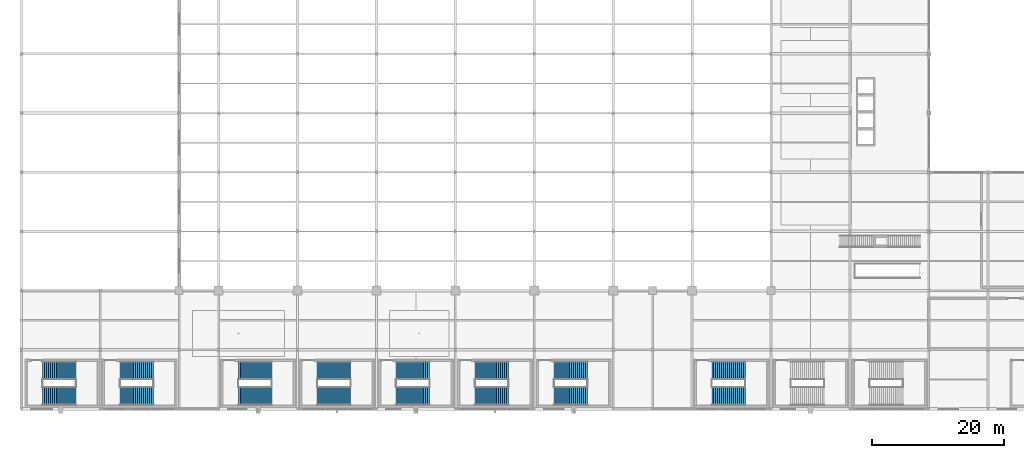
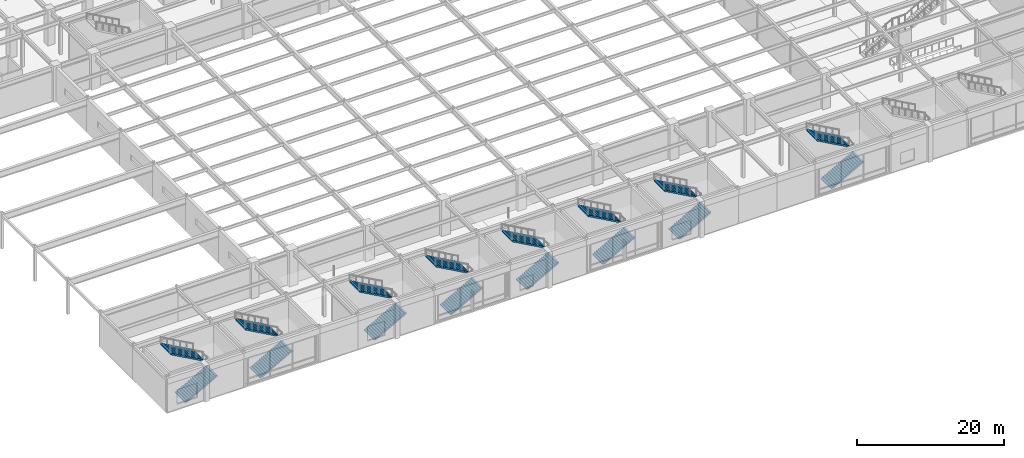
# One storey, part 92 of 105: 16 stair flights, 8 elements without a shape of their own.
"""IFC4 building model written with IfcOpenShell, lengths in metres."""

import ifcopenshell
import ifcopenshell.guid

model = None  # the IFC model being written
_history = None  # IfcOwnerHistory: only IFC2X3 demands one
_inside = {}  # id of a spatial element -> (the spatial element, [elements in it])
_under = {}  # id of a project, library or spatial element -> (it, [spatial elements below it])
_declared = {}  # id of a project -> (the project, [libraries it declares])
_typed = {}  # id of a type object -> (the type object, [elements of that type])
_made_of = {}  # id of a material, layer set ... -> (it, [elements and type objects made of it])


def new_model(schema):
    """Start an empty IFC model of exactly this schema.

    Asked for "IFC4X3", IfcOpenShell would pick the latest addendum, in which some entities
    have other attributes; the version numbers below select the first issue.
    IFC2X3 requires an IfcOwnerHistory on every rooted entity: one is made here for all.
    """
    global model, _history
    if schema == "IFC4X3":
        model = ifcopenshell.file(schema_version=(4, 3, 0, 0))
    else:
        model = ifcopenshell.file(schema=schema)
    _inside.clear()
    _under.clear()
    _declared.clear()
    _typed.clear()
    _made_of.clear()
    _history = None
    if model.schema == "IFC2X3":
        org = make("IfcOrganization", Name="unknown")
        user = make(
            "IfcPersonAndOrganization",
            ThePerson=make("IfcPerson", FamilyName="unknown"),
            TheOrganization=org,
        )
        app = make(
            "IfcApplication",
            ApplicationDeveloper=org,
            Version="unknown",
            ApplicationFullName="unknown",
            ApplicationIdentifier="unknown",
        )
        _history = make(
            "IfcOwnerHistory",
            OwningUser=user,
            OwningApplication=app,
            ChangeAction="ADDED",
            CreationDate=0,
        )
    return model


def make(cls, **values):
    """One entity of the class cls with the attributes given. An attribute that is None is left unset."""
    return model.create_entity(
        cls, **{name: value for name, value in values.items() if value is not None}
    )


def rooted(cls, **values):
    """An entity with a GlobalId (a new one), such as an element, a storey or a relation."""
    return make(cls, GlobalId=ifcopenshell.guid.new(), OwnerHistory=_history, **values)


def si_unit(unit_type, name, prefix=None):
    """IfcSIUnit, for example si_unit("LENGTHUNIT", "METRE", prefix="MILLI")."""
    return make("IfcSIUnit", UnitType=unit_type, Prefix=prefix, Name=name)


def assignment(units):
    """IfcUnitAssignment: the units of a project."""
    return None if units is None else make("IfcUnitAssignment", Units=units)


def point(xyz):
    """IfcCartesianPoint."""
    return None if xyz is None else make("IfcCartesianPoint", Coordinates=xyz)


def direction(xyz):
    """IfcDirection."""
    return None if xyz is None else make("IfcDirection", DirectionRatios=xyz)


def frame(location, z_axis=None, x_axis=None):
    """IfcAxis2Placement3D, a coordinate frame: its origin and axes. An axis left out is left unset."""
    return make(
        "IfcAxis2Placement3D",
        Location=point(location),
        Axis=direction(z_axis),
        RefDirection=direction(x_axis),
    )


def origin():
    """The frame at (0, 0, 0) with its axes left unset."""
    return frame((0.0, 0.0, 0.0))


def place(relative_to, where):
    """IfcLocalPlacement: puts the frame where relative to a parent placement (None: the world)."""
    return make(
        "IfcLocalPlacement", PlacementRelTo=relative_to, RelativePlacement=where
    )


def context(
    kind, dimensions, precision=None, world=None, true_north=None, identifier=None
):
    """IfcGeometricRepresentationContext, for example the 3D "Model" context."""
    return make(
        "IfcGeometricRepresentationContext",
        ContextIdentifier=identifier,
        ContextType=kind,
        CoordinateSpaceDimension=dimensions,
        Precision=precision,
        WorldCoordinateSystem=world,
        TrueNorth=true_north,
    )


def subcontext(parent, identifier, kind, view, scale=None):
    """IfcGeometricRepresentationSubContext, for example "Body" below "Model"."""
    return make(
        "IfcGeometricRepresentationSubContext",
        ContextIdentifier=identifier,
        ContextType=kind,
        ParentContext=parent,
        TargetScale=scale,
        TargetView=view,
    )


def project(units=None, contexts=None):
    """IfcProject with its units and contexts."""
    return rooted(
        "IfcProject",
        Name="project",
        RepresentationContexts=contexts,
        UnitsInContext=assignment(units),
    )


def spatial(cls, under=None, at=None, **own):
    """A site, building, storey or space (cls), placed at a placement, below another one or the project."""
    s = rooted(cls, ObjectPlacement=at, **own)
    if under is not None:
        _under.setdefault(under.id(), (under, []))[1].append(s)
    return s


def polyline(points):
    """IfcPolyline through the points."""
    return make("IfcPolyline", Points=[point(p) for p in points])


def outline(outer, holes=None, kind="AREA"):
    """IfcArbitraryClosedProfileDef: a profile drawn as a closed curve; with holes, ...WithVoids."""
    if holes is None:
        return make("IfcArbitraryClosedProfileDef", ProfileType=kind, OuterCurve=outer)
    return make(
        "IfcArbitraryProfileDefWithVoids",
        ProfileType=kind,
        OuterCurve=outer,
        InnerCurves=holes,
    )


def extrude(swept, where, along, depth):
    """IfcExtrudedAreaSolid: the profile swept, set in the frame where, extruded along a direction by depth."""
    return make(
        "IfcExtrudedAreaSolid",
        SweptArea=swept,
        Position=where,
        ExtrudedDirection=direction(along),
        Depth=depth,
    )


def shape(context_of_items, identifier, shape_type, items):
    """IfcShapeRepresentation: the items that make up one representation, for example the "Body"."""
    return make(
        "IfcShapeRepresentation",
        ContextOfItems=context_of_items,
        RepresentationIdentifier=identifier,
        RepresentationType=shape_type,
        Items=items,
    )


def material(Name=None, Category=None):
    """IfcMaterial."""
    return make("IfcMaterial", Name=Name, Category=Category)


def made_of(thing, what):
    """Note that an element or type object is made of a material, layer set ...; save() writes the relation."""
    if what is not None:
        _made_of.setdefault(what.id(), (what, []))[1].append(thing)
    return thing


def type_object(cls, material=None, **own):
    """A type object (cls), such as IfcWallType, which elements share."""
    return made_of(rooted(cls, **own), material)


def element(
    cls,
    number,
    at=None,
    inside=None,
    cuts=None,
    type_object=None,
    material=None,
    context=None,
    identifier="Body",
    shape_type=None,
    held_by="IfcProductDefinitionShape",
    body=None,
    shapes=None,
    **own,
):
    """One element of the class cls, such as IfcWall. Its Tag is "e" and its number.

    at: its placement. inside: the storey or other place that contains it. cuts: it is an
    opening in that element (IfcRelVoidsElement). A single representation is given by context,
    identifier, shape_type and body (its items); several are given by shapes. held_by: the class
    of the entity that holds the representations. save() writes the other relations.
    """
    e = rooted(cls, Tag="e%d" % number, ObjectPlacement=at, **own)
    if body is not None:
        shapes = [shape(context, identifier, shape_type, body)]
    if shapes is not None:
        e.Representation = make(held_by, Representations=shapes)
    if inside is not None:
        _inside.setdefault(inside.id(), (inside, []))[1].append(e)
    if cuts is not None:
        rooted(
            "IfcRelVoidsElement", RelatingBuildingElement=cuts, RelatedOpeningElement=e
        )
    if type_object is not None:
        _typed.setdefault(type_object.id(), (type_object, []))[1].append(e)
    return made_of(e, material)


def aggregate(whole, parts):
    """IfcRelAggregates: a whole, such as a stair, and the parts it consists of."""
    return rooted("IfcRelAggregates", RelatingObject=whole, RelatedObjects=parts)


def save(model, path):
    """Write the relations noted so far, then the file.

    IfcRelAggregates (storeys below a building ...), IfcRelContainedInSpatialStructure (elements
    in a storey), IfcRelDefinesByType, IfcRelAssociatesMaterial and IfcRelDeclares: one each for
    every whole, place, type object, material and project.
    """
    for whole, parts in _under.values():
        aggregate(whole, parts)
    for where, things in _inside.values():
        rooted(
            "IfcRelContainedInSpatialStructure",
            RelatedElements=things,
            RelatingStructure=where,
        )
    for kind, things in _typed.values():
        rooted("IfcRelDefinesByType", RelatedObjects=things, RelatingType=kind)
    for what, things in _made_of.values():
        rooted("IfcRelAssociatesMaterial", RelatedObjects=things, RelatingMaterial=what)
    for by, libraries in _declared.values():
        rooted("IfcRelDeclares", RelatingContext=by, RelatedDefinitions=libraries)
    model.write(path)


model = new_model("IFC4")

# Units and contexts
model_context = context("Model", 3, precision=1e-05, world=origin(), true_north=direction((0.0, 1.0)))
body_context = subcontext(model_context, "Body", "Model", "MODEL_VIEW")
ifc_project = project(units=[si_unit("LENGTHUNIT", "METRE"), si_unit("AREAUNIT", "SQUARE_METRE"), si_unit("VOLUMEUNIT", "CUBIC_METRE"), si_unit("PLANEANGLEUNIT", "RADIAN"), si_unit("MASSUNIT", "GRAM", prefix="KILO")], contexts=[model_context])

# Site, building, storey
site_placement = place(None, origin())
site = spatial("IfcSite", under=ifc_project, at=site_placement, CompositionType="ELEMENT")
building_placement = place(site_placement, origin())
building = spatial("IfcBuilding", under=site, at=building_placement, Name="Kaldorvane Square Convention Centre", CompositionType="ELEMENT")
storey_placement = place(building_placement, frame((0.0, 0.0, 6.0)))
storey = spatial("IfcBuildingStorey", under=building, at=storey_placement, Name="L01", CompositionType="ELEMENT", Elevation=6.0)

# Stair, stair flights
ifc_material = material(Name="Concrete f'c = 42 MPa (Normalweight)", Category="concrete")
stair_type = type_object("IfcStairType", Name="ST-DL-2800-6000-D6710", PredefinedType="HALF_TURN_STAIR", material=ifc_material)
stair_1_placement = place(storey_placement, origin())
stair_1 = element("IfcStair", 1, at=stair_1_placement, inside=storey, type_object=stair_type, Name="Convention Exit Stair C1 (L01)", PredefinedType="HALF_TURN_STAIR")
stair_flight_type = type_object("IfcStairFlightType", Name="SF-STR-2800-18R", PredefinedType="STRAIGHT", material=ifc_material)
stair_flight_1_placement = place(storey_placement, frame((3.2100067138671875, 1.9499969482421875, 0.0), z_axis=(0.0, 0.0, 1.0), x_axis=(1.0, 0.0, 0.0)))
stair_flight_1 = element("IfcStairFlight", 2, at=stair_flight_1_placement, type_object=stair_flight_type, Name="Convention Exit Stair C1 Flight 1 (L01)", NumberOfRisers=18, NumberOfTreads=17, PredefinedType="STRAIGHT", RiserHeight=0.166666667, TreadLength=0.3, context=body_context, shape_type="SweptSolid", body=[
    extrude(outline(polyline([(0.0, 0.0), (0.0, 0.1666717529296875), (0.3000030517578125, 0.1666717529296875), (0.3000030517578125, 0.3333282470703125), (0.600006103515625, 0.3333282470703125), (0.600006103515625, 0.5), (0.899993896484375, 0.5), (0.899993896484375, 0.6666717529296875), (1.1999969482421875, 0.6666717529296875), (1.1999969482421875, 0.8333282470703125), (1.5, 0.8333282470703125), (1.5, 1.0), (1.8000030517578125, 1.0), (1.8000030517578125, 1.1666717529296875), (2.100006103515625, 1.1666717529296875), (2.100006103515625, 1.3333282470703125), (2.399993896484375, 1.3333282470703125), (2.399993896484375, 1.5), (2.6999969482421875, 1.5), (2.6999969482421875, 1.6666717529296875), (3.0, 1.6666717529296875), (3.0, 1.8333282470703125), (3.3000030517578125, 1.8333282470703125), (3.3000030517578125, 2.0), (3.600006103515625, 2.0), (3.600006103515625, 2.1666717529296875), (3.899993896484375, 2.1666717529296875), (3.899993896484375, 2.3333282470703125), (4.1999969482421875, 2.3333282470703125), (4.1999969482421875, 2.5), (4.5, 2.5), (4.5, 2.6666717529296875), (4.8000030517578125, 2.6666717529296875), (4.8000030517578125, 2.8333282470703125), (5.100006103515625, 2.8333282470703125), (5.100006103515625, 3.0), (5.100006103515625, 2.6045379638671875), (0.4118194580078125, 0.0), (0.0, 0.0)])), frame((0.0, 1.399993896484375, 0.0), z_axis=(0.0, -1.0, 0.0), x_axis=(1.0, 0.0, 0.0)), (0.0, 0.0, 1.0), 2.8000030517578125),
])
stair_flight_2_placement = place(storey_placement, frame((8.30999755859375, 5.8600006103515625, 3.0), z_axis=(0.0, 0.0, 1.0), x_axis=(-1.0, 0.0, 0.0)))
stair_flight_2 = element("IfcStairFlight", 3, at=stair_flight_2_placement, type_object=stair_flight_type, Name="Convention Exit Stair C1 Flight 2 (L01)", NumberOfRisers=18, NumberOfTreads=17, PredefinedType="STRAIGHT", RiserHeight=0.166666667, TreadLength=0.3, context=body_context, shape_type="SweptSolid", body=[
    extrude(outline(polyline([(0.0, 0.0), (0.0, 0.1666717529296875), (0.3000030517578125, 0.1666717529296875), (0.3000030517578125, 0.3333282470703125), (0.600006103515625, 0.3333282470703125), (0.600006103515625, 0.5), (0.899993896484375, 0.5), (0.899993896484375, 0.6666717529296875), (1.1999969482421875, 0.6666717529296875), (1.1999969482421875, 0.8333282470703125), (1.5, 0.8333282470703125), (1.5, 1.0), (1.8000030517578125, 1.0), (1.8000030517578125, 1.1666717529296875), (2.100006103515625, 1.1666717529296875), (2.100006103515625, 1.3333282470703125), (2.399993896484375, 1.3333282470703125), (2.399993896484375, 1.5), (2.6999969482421875, 1.5), (2.6999969482421875, 1.6666717529296875), (3.0, 1.6666717529296875), (3.0, 1.8333282470703125), (3.3000030517578125, 1.8333282470703125), (3.3000030517578125, 2.0), (3.600006103515625, 2.0), (3.600006103515625, 2.1666717529296875), (3.899993896484375, 2.1666717529296875), (3.899993896484375, 2.3333282470703125), (4.1999969482421875, 2.3333282470703125), (4.1999969482421875, 2.5), (4.5, 2.5), (4.5, 2.6666717529296875), (4.8000030517578125, 2.6666717529296875), (4.8000030517578125, 2.8333282470703125), (5.100006103515625, 2.8333282470703125), (5.100006103515625, 3.0), (5.100006103515625, 2.6045379638671875), (0.4118194580078125, 0.0), (0.0, 0.0)])), frame((0.0, 1.399993896484375, 0.0), z_axis=(0.0, -1.0, 0.0), x_axis=(1.0, 0.0, 0.0)), (0.0, 0.0, 1.0), 2.8000030517578125),
])
aggregate(stair_1, [stair_flight_1, stair_flight_2])

stair_2_placement = place(storey_placement, origin())
stair_2 = element("IfcStair", 4, at=stair_2_placement, inside=storey, type_object=stair_type, Name="Convention Exit Stair C2 (L01)", PredefinedType="HALF_TURN_STAIR")
stair_flight_3_placement = place(storey_placement, frame((14.990005493164062, 1.9499969482421875, 0.0), z_axis=(0.0, 0.0, 1.0), x_axis=(1.0, 0.0, 0.0)))
stair_flight_3 = element("IfcStairFlight", 5, at=stair_flight_3_placement, type_object=stair_flight_type, Name="Convention Exit Stair C2 Flight 1 (L01)", NumberOfRisers=18, NumberOfTreads=17, PredefinedType="STRAIGHT", RiserHeight=0.166666667, TreadLength=0.3, context=body_context, shape_type="SweptSolid", body=[
    extrude(outline(polyline([(0.0, 0.0), (0.0, 0.1666717529296875), (0.3000030517578125, 0.1666717529296875), (0.3000030517578125, 0.3333282470703125), (0.600006103515625, 0.3333282470703125), (0.600006103515625, 0.5), (0.899993896484375, 0.5), (0.899993896484375, 0.6666717529296875), (1.1999969482421875, 0.6666717529296875), (1.1999969482421875, 0.8333282470703125), (1.5, 0.8333282470703125), (1.5, 1.0), (1.8000030517578125, 1.0), (1.8000030517578125, 1.1666717529296875), (2.100006103515625, 1.1666717529296875), (2.100006103515625, 1.3333282470703125), (2.399993896484375, 1.3333282470703125), (2.399993896484375, 1.5), (2.6999969482421875, 1.5), (2.6999969482421875, 1.6666717529296875), (3.0, 1.6666717529296875), (3.0, 1.8333282470703125), (3.3000030517578125, 1.8333282470703125), (3.3000030517578125, 2.0), (3.600006103515625, 2.0), (3.600006103515625, 2.1666717529296875), (3.899993896484375, 2.1666717529296875), (3.899993896484375, 2.3333282470703125), (4.1999969482421875, 2.3333282470703125), (4.1999969482421875, 2.5), (4.5, 2.5), (4.5, 2.6666717529296875), (4.8000030517578125, 2.6666717529296875), (4.8000030517578125, 2.8333282470703125), (5.100006103515625, 2.8333282470703125), (5.100006103515625, 3.0), (5.100006103515625, 2.6045379638671875), (0.4118194580078125, 0.0), (0.0, 0.0)])), frame((0.0, 1.399993896484375, 0.0), z_axis=(0.0, -1.0, 0.0), x_axis=(1.0, 0.0, 0.0)), (0.0, 0.0, 1.0), 2.8000030517578125),
])
stair_flight_4_placement = place(storey_placement, frame((20.089996337890625, 5.8600006103515625, 3.0), z_axis=(0.0, 0.0, 1.0), x_axis=(-1.0, 0.0, 0.0)))
stair_flight_4 = element("IfcStairFlight", 6, at=stair_flight_4_placement, type_object=stair_flight_type, Name="Convention Exit Stair C2 Flight 2 (L01)", NumberOfRisers=18, NumberOfTreads=17, PredefinedType="STRAIGHT", RiserHeight=0.166666667, TreadLength=0.3, context=body_context, shape_type="SweptSolid", body=[
    extrude(outline(polyline([(0.0, 0.0), (0.0, 0.1666717529296875), (0.3000030517578125, 0.1666717529296875), (0.3000030517578125, 0.3333282470703125), (0.600006103515625, 0.3333282470703125), (0.600006103515625, 0.5), (0.899993896484375, 0.5), (0.899993896484375, 0.6666717529296875), (1.1999969482421875, 0.6666717529296875), (1.1999969482421875, 0.8333282470703125), (1.5, 0.8333282470703125), (1.5, 1.0), (1.8000030517578125, 1.0), (1.8000030517578125, 1.1666717529296875), (2.100006103515625, 1.1666717529296875), (2.100006103515625, 1.3333282470703125), (2.399993896484375, 1.3333282470703125), (2.399993896484375, 1.5), (2.6999969482421875, 1.5), (2.6999969482421875, 1.6666717529296875), (3.0, 1.6666717529296875), (3.0, 1.8333282470703125), (3.3000030517578125, 1.8333282470703125), (3.3000030517578125, 2.0), (3.600006103515625, 2.0), (3.600006103515625, 2.1666717529296875), (3.899993896484375, 2.1666717529296875), (3.899993896484375, 2.3333282470703125), (4.1999969482421875, 2.3333282470703125), (4.1999969482421875, 2.5), (4.5, 2.5), (4.5, 2.6666717529296875), (4.8000030517578125, 2.6666717529296875), (4.8000030517578125, 2.8333282470703125), (5.100006103515625, 2.8333282470703125), (5.100006103515625, 3.0), (5.100006103515625, 2.6045379638671875), (0.4118194580078125, 0.0), (0.0, 0.0)])), frame((0.0, 1.399993896484375, 0.0), z_axis=(0.0, -1.0, 0.0), x_axis=(1.0, 0.0, 0.0)), (0.0, 0.0, 1.0), 2.8000030517578125),
])
aggregate(stair_2, [stair_flight_3, stair_flight_4])

stair_3_placement = place(storey_placement, origin())
stair_3 = element("IfcStair", 7, at=stair_3_placement, inside=storey, type_object=stair_type, Name="Convention Exit Stair C3 (L01)", PredefinedType="HALF_TURN_STAIR")
stair_flight_5_placement = place(storey_placement, frame((32.99000549316406, 1.9499969482421875, 0.0), z_axis=(0.0, 0.0, 1.0), x_axis=(1.0, 0.0, 0.0)))
stair_flight_5 = element("IfcStairFlight", 8, at=stair_flight_5_placement, type_object=stair_flight_type, Name="Convention Exit Stair C3 Flight 1 (L01)", NumberOfRisers=18, NumberOfTreads=17, PredefinedType="STRAIGHT", RiserHeight=0.166666667, TreadLength=0.3, context=body_context, shape_type="SweptSolid", body=[
    extrude(outline(polyline([(0.0, 0.0), (0.0, 0.1666717529296875), (0.3000030517578125, 0.1666717529296875), (0.3000030517578125, 0.3333282470703125), (0.600006103515625, 0.3333282470703125), (0.600006103515625, 0.5), (0.899993896484375, 0.5), (0.899993896484375, 0.6666717529296875), (1.1999969482421875, 0.6666717529296875), (1.1999969482421875, 0.8333282470703125), (1.5, 0.8333282470703125), (1.5, 1.0), (1.8000030517578125, 1.0), (1.8000030517578125, 1.1666717529296875), (2.100006103515625, 1.1666717529296875), (2.100006103515625, 1.3333282470703125), (2.399993896484375, 1.3333282470703125), (2.399993896484375, 1.5), (2.6999969482421875, 1.5), (2.6999969482421875, 1.6666717529296875), (3.0, 1.6666717529296875), (3.0, 1.8333282470703125), (3.3000030517578125, 1.8333282470703125), (3.3000030517578125, 2.0), (3.600006103515625, 2.0), (3.600006103515625, 2.1666717529296875), (3.899993896484375, 2.1666717529296875), (3.899993896484375, 2.3333282470703125), (4.1999969482421875, 2.3333282470703125), (4.1999969482421875, 2.5), (4.5, 2.5), (4.5, 2.6666717529296875), (4.8000030517578125, 2.6666717529296875), (4.8000030517578125, 2.8333282470703125), (5.100006103515625, 2.8333282470703125), (5.100006103515625, 3.0), (5.100006103515625, 2.6045379638671875), (0.4118194580078125, 0.0), (0.0, 0.0)])), frame((0.0, 1.399993896484375, 0.0), z_axis=(0.0, -1.0, 0.0), x_axis=(1.0, 0.0, 0.0)), (0.0, 0.0, 1.0), 2.8000030517578125),
])
stair_flight_6_placement = place(storey_placement, frame((38.089996337890625, 5.8600006103515625, 3.0), z_axis=(0.0, 0.0, 1.0), x_axis=(-1.0, 0.0, 0.0)))
stair_flight_6 = element("IfcStairFlight", 9, at=stair_flight_6_placement, type_object=stair_flight_type, Name="Convention Exit Stair C3 Flight 2 (L01)", NumberOfRisers=18, NumberOfTreads=17, PredefinedType="STRAIGHT", RiserHeight=0.166666667, TreadLength=0.3, context=body_context, shape_type="SweptSolid", body=[
    extrude(outline(polyline([(0.0, 0.0), (0.0, 0.1666717529296875), (0.3000030517578125, 0.1666717529296875), (0.3000030517578125, 0.3333282470703125), (0.600006103515625, 0.3333282470703125), (0.600006103515625, 0.5), (0.899993896484375, 0.5), (0.899993896484375, 0.6666717529296875), (1.1999969482421875, 0.6666717529296875), (1.1999969482421875, 0.8333282470703125), (1.5, 0.8333282470703125), (1.5, 1.0), (1.8000030517578125, 1.0), (1.8000030517578125, 1.1666717529296875), (2.100006103515625, 1.1666717529296875), (2.100006103515625, 1.3333282470703125), (2.399993896484375, 1.3333282470703125), (2.399993896484375, 1.5), (2.6999969482421875, 1.5), (2.6999969482421875, 1.6666717529296875), (3.0, 1.6666717529296875), (3.0, 1.8333282470703125), (3.3000030517578125, 1.8333282470703125), (3.3000030517578125, 2.0), (3.600006103515625, 2.0), (3.600006103515625, 2.1666717529296875), (3.899993896484375, 2.1666717529296875), (3.899993896484375, 2.3333282470703125), (4.1999969482421875, 2.3333282470703125), (4.1999969482421875, 2.5), (4.5, 2.5), (4.5, 2.6666717529296875), (4.8000030517578125, 2.6666717529296875), (4.8000030517578125, 2.8333282470703125), (5.100006103515625, 2.8333282470703125), (5.100006103515625, 3.0), (5.100006103515625, 2.6045379638671875), (0.4118194580078125, 0.0), (0.0, 0.0)])), frame((0.0, 1.399993896484375, 0.0), z_axis=(0.0, -1.0, 0.0), x_axis=(1.0, 0.0, 0.0)), (0.0, 0.0, 1.0), 2.8000030517578125),
])
aggregate(stair_3, [stair_flight_5, stair_flight_6])

stair_4_placement = place(storey_placement, origin())
stair_4 = element("IfcStair", 10, at=stair_4_placement, inside=storey, type_object=stair_type, Name="Convention Exit Stair C4 (L01)", PredefinedType="HALF_TURN_STAIR")
stair_flight_7_placement = place(storey_placement, frame((44.99000549316406, 1.9499969482421875, 0.0), z_axis=(0.0, 0.0, 1.0), x_axis=(1.0, 0.0, 0.0)))
stair_flight_7 = element("IfcStairFlight", 11, at=stair_flight_7_placement, type_object=stair_flight_type, Name="Convention Exit Stair C4 Flight 1 (L01)", NumberOfRisers=18, NumberOfTreads=17, PredefinedType="STRAIGHT", RiserHeight=0.166666667, TreadLength=0.3, context=body_context, shape_type="SweptSolid", body=[
    extrude(outline(polyline([(0.0, 0.0), (0.0, 0.1666717529296875), (0.3000030517578125, 0.1666717529296875), (0.3000030517578125, 0.3333282470703125), (0.600006103515625, 0.3333282470703125), (0.600006103515625, 0.5), (0.899993896484375, 0.5), (0.899993896484375, 0.6666717529296875), (1.1999969482421875, 0.6666717529296875), (1.1999969482421875, 0.8333282470703125), (1.5, 0.8333282470703125), (1.5, 1.0), (1.8000030517578125, 1.0), (1.8000030517578125, 1.1666717529296875), (2.100006103515625, 1.1666717529296875), (2.100006103515625, 1.3333282470703125), (2.399993896484375, 1.3333282470703125), (2.399993896484375, 1.5), (2.6999969482421875, 1.5), (2.6999969482421875, 1.6666717529296875), (3.0, 1.6666717529296875), (3.0, 1.8333282470703125), (3.3000030517578125, 1.8333282470703125), (3.3000030517578125, 2.0), (3.600006103515625, 2.0), (3.600006103515625, 2.1666717529296875), (3.899993896484375, 2.1666717529296875), (3.899993896484375, 2.3333282470703125), (4.1999969482421875, 2.3333282470703125), (4.1999969482421875, 2.5), (4.5, 2.5), (4.5, 2.6666717529296875), (4.8000030517578125, 2.6666717529296875), (4.8000030517578125, 2.8333282470703125), (5.100006103515625, 2.8333282470703125), (5.100006103515625, 3.0), (5.100006103515625, 2.6045379638671875), (0.4118194580078125, 0.0), (0.0, 0.0)])), frame((0.0, 1.399993896484375, 0.0), z_axis=(0.0, -1.0, 0.0), x_axis=(1.0, 0.0, 0.0)), (0.0, 0.0, 1.0), 2.8000030517578125),
])
stair_flight_8_placement = place(storey_placement, frame((50.089996337890625, 5.8600006103515625, 3.0), z_axis=(0.0, 0.0, 1.0), x_axis=(-1.0, 0.0, 0.0)))
stair_flight_8 = element("IfcStairFlight", 12, at=stair_flight_8_placement, type_object=stair_flight_type, Name="Convention Exit Stair C4 Flight 2 (L01)", NumberOfRisers=18, NumberOfTreads=17, PredefinedType="STRAIGHT", RiserHeight=0.166666667, TreadLength=0.3, context=body_context, shape_type="SweptSolid", body=[
    extrude(outline(polyline([(0.0, 0.0), (0.0, 0.1666717529296875), (0.3000030517578125, 0.1666717529296875), (0.3000030517578125, 0.3333282470703125), (0.600006103515625, 0.3333282470703125), (0.600006103515625, 0.5), (0.899993896484375, 0.5), (0.899993896484375, 0.6666717529296875), (1.1999969482421875, 0.6666717529296875), (1.1999969482421875, 0.8333282470703125), (1.5, 0.8333282470703125), (1.5, 1.0), (1.8000030517578125, 1.0), (1.8000030517578125, 1.1666717529296875), (2.100006103515625, 1.1666717529296875), (2.100006103515625, 1.3333282470703125), (2.399993896484375, 1.3333282470703125), (2.399993896484375, 1.5), (2.6999969482421875, 1.5), (2.6999969482421875, 1.6666717529296875), (3.0, 1.6666717529296875), (3.0, 1.8333282470703125), (3.3000030517578125, 1.8333282470703125), (3.3000030517578125, 2.0), (3.600006103515625, 2.0), (3.600006103515625, 2.1666717529296875), (3.899993896484375, 2.1666717529296875), (3.899993896484375, 2.3333282470703125), (4.1999969482421875, 2.3333282470703125), (4.1999969482421875, 2.5), (4.5, 2.5), (4.5, 2.6666717529296875), (4.8000030517578125, 2.6666717529296875), (4.8000030517578125, 2.8333282470703125), (5.100006103515625, 2.8333282470703125), (5.100006103515625, 3.0), (5.100006103515625, 2.6045379638671875), (0.4118194580078125, 0.0), (0.0, 0.0)])), frame((0.0, 1.399993896484375, 0.0), z_axis=(0.0, -1.0, 0.0), x_axis=(1.0, 0.0, 0.0)), (0.0, 0.0, 1.0), 2.8000030517578125),
])
aggregate(stair_4, [stair_flight_7, stair_flight_8])

stair_5_placement = place(storey_placement, origin())
stair_5 = element("IfcStair", 13, at=stair_5_placement, inside=storey, type_object=stair_type, Name="Convention Exit Stair C5 (L01)", PredefinedType="HALF_TURN_STAIR")
stair_flight_9_placement = place(storey_placement, frame((56.99000549316406, 1.9499969482421875, 0.0), z_axis=(0.0, 0.0, 1.0), x_axis=(1.0, 0.0, 0.0)))
stair_flight_9 = element("IfcStairFlight", 14, at=stair_flight_9_placement, type_object=stair_flight_type, Name="Convention Exit Stair C5 Flight 1 (L01)", NumberOfRisers=18, NumberOfTreads=17, PredefinedType="STRAIGHT", RiserHeight=0.166666667, TreadLength=0.3, context=body_context, shape_type="SweptSolid", body=[
    extrude(outline(polyline([(0.0, 0.0), (0.0, 0.1666717529296875), (0.3000030517578125, 0.1666717529296875), (0.3000030517578125, 0.3333282470703125), (0.600006103515625, 0.3333282470703125), (0.600006103515625, 0.5), (0.899993896484375, 0.5), (0.899993896484375, 0.6666717529296875), (1.1999969482421875, 0.6666717529296875), (1.1999969482421875, 0.8333282470703125), (1.5, 0.8333282470703125), (1.5, 1.0), (1.8000030517578125, 1.0), (1.8000030517578125, 1.1666717529296875), (2.100006103515625, 1.1666717529296875), (2.100006103515625, 1.3333282470703125), (2.399993896484375, 1.3333282470703125), (2.399993896484375, 1.5), (2.6999969482421875, 1.5), (2.6999969482421875, 1.6666717529296875), (3.0, 1.6666717529296875), (3.0, 1.8333282470703125), (3.3000030517578125, 1.8333282470703125), (3.3000030517578125, 2.0), (3.600006103515625, 2.0), (3.600006103515625, 2.1666717529296875), (3.899993896484375, 2.1666717529296875), (3.899993896484375, 2.3333282470703125), (4.1999969482421875, 2.3333282470703125), (4.1999969482421875, 2.5), (4.5, 2.5), (4.5, 2.6666717529296875), (4.8000030517578125, 2.6666717529296875), (4.8000030517578125, 2.8333282470703125), (5.100006103515625, 2.8333282470703125), (5.100006103515625, 3.0), (5.100006103515625, 2.6045379638671875), (0.4118194580078125, 0.0), (0.0, 0.0)])), frame((0.0, 1.399993896484375, 0.0), z_axis=(0.0, -1.0, 0.0), x_axis=(1.0, 0.0, 0.0)), (0.0, 0.0, 1.0), 2.8000030517578125),
])
stair_flight_10_placement = place(storey_placement, frame((62.089996337890625, 5.8600006103515625, 3.0), z_axis=(0.0, 0.0, 1.0), x_axis=(-1.0, 0.0, 0.0)))
stair_flight_10 = element("IfcStairFlight", 15, at=stair_flight_10_placement, type_object=stair_flight_type, Name="Convention Exit Stair C5 Flight 2 (L01)", NumberOfRisers=18, NumberOfTreads=17, PredefinedType="STRAIGHT", RiserHeight=0.166666667, TreadLength=0.3, context=body_context, shape_type="SweptSolid", body=[
    extrude(outline(polyline([(0.0, 0.0), (0.0, 0.1666717529296875), (0.3000030517578125, 0.1666717529296875), (0.3000030517578125, 0.3333282470703125), (0.600006103515625, 0.3333282470703125), (0.600006103515625, 0.5), (0.899993896484375, 0.5), (0.899993896484375, 0.6666717529296875), (1.1999969482421875, 0.6666717529296875), (1.1999969482421875, 0.8333282470703125), (1.5, 0.8333282470703125), (1.5, 1.0), (1.8000030517578125, 1.0), (1.8000030517578125, 1.1666717529296875), (2.100006103515625, 1.1666717529296875), (2.100006103515625, 1.3333282470703125), (2.399993896484375, 1.3333282470703125), (2.399993896484375, 1.5), (2.6999969482421875, 1.5), (2.6999969482421875, 1.6666717529296875), (3.0, 1.6666717529296875), (3.0, 1.8333282470703125), (3.3000030517578125, 1.8333282470703125), (3.3000030517578125, 2.0), (3.600006103515625, 2.0), (3.600006103515625, 2.1666717529296875), (3.899993896484375, 2.1666717529296875), (3.899993896484375, 2.3333282470703125), (4.1999969482421875, 2.3333282470703125), (4.1999969482421875, 2.5), (4.5, 2.5), (4.5, 2.6666717529296875), (4.8000030517578125, 2.6666717529296875), (4.8000030517578125, 2.8333282470703125), (5.100006103515625, 2.8333282470703125), (5.100006103515625, 3.0), (5.100006103515625, 2.6045379638671875), (0.4118194580078125, 0.0), (0.0, 0.0)])), frame((0.0, 1.399993896484375, 0.0), z_axis=(0.0, -1.0, 0.0), x_axis=(1.0, 0.0, 0.0)), (0.0, 0.0, 1.0), 2.8000030517578125),
])
aggregate(stair_5, [stair_flight_9, stair_flight_10])

stair_6_placement = place(storey_placement, origin())
stair_6 = element("IfcStair", 16, at=stair_6_placement, inside=storey, type_object=stair_type, Name="Convention Exit Stair C6 (L01)", PredefinedType="HALF_TURN_STAIR")
stair_flight_11_placement = place(storey_placement, frame((68.99000549316406, 1.9499969482421875, 0.0), z_axis=(0.0, 0.0, 1.0), x_axis=(1.0, 0.0, 0.0)))
stair_flight_11 = element("IfcStairFlight", 17, at=stair_flight_11_placement, type_object=stair_flight_type, Name="Convention Exit Stair C6 Flight 1 (L01)", NumberOfRisers=18, NumberOfTreads=17, PredefinedType="STRAIGHT", RiserHeight=0.166666667, TreadLength=0.3, context=body_context, shape_type="SweptSolid", body=[
    extrude(outline(polyline([(0.0, 0.0), (0.0, 0.1666717529296875), (0.3000030517578125, 0.1666717529296875), (0.3000030517578125, 0.3333282470703125), (0.600006103515625, 0.3333282470703125), (0.600006103515625, 0.5), (0.899993896484375, 0.5), (0.899993896484375, 0.6666717529296875), (1.1999969482421875, 0.6666717529296875), (1.1999969482421875, 0.8333282470703125), (1.5, 0.8333282470703125), (1.5, 1.0), (1.8000030517578125, 1.0), (1.8000030517578125, 1.1666717529296875), (2.100006103515625, 1.1666717529296875), (2.100006103515625, 1.3333282470703125), (2.399993896484375, 1.3333282470703125), (2.399993896484375, 1.5), (2.6999969482421875, 1.5), (2.6999969482421875, 1.6666717529296875), (3.0, 1.6666717529296875), (3.0, 1.8333282470703125), (3.3000030517578125, 1.8333282470703125), (3.3000030517578125, 2.0), (3.600006103515625, 2.0), (3.600006103515625, 2.1666717529296875), (3.899993896484375, 2.1666717529296875), (3.899993896484375, 2.3333282470703125), (4.1999969482421875, 2.3333282470703125), (4.1999969482421875, 2.5), (4.5, 2.5), (4.5, 2.6666717529296875), (4.8000030517578125, 2.6666717529296875), (4.8000030517578125, 2.8333282470703125), (5.100006103515625, 2.8333282470703125), (5.100006103515625, 3.0), (5.100006103515625, 2.6045379638671875), (0.4118194580078125, 0.0), (0.0, 0.0)])), frame((0.0, 1.399993896484375, 0.0), z_axis=(0.0, -1.0, 0.0), x_axis=(1.0, 0.0, 0.0)), (0.0, 0.0, 1.0), 2.8000030517578125),
])
stair_flight_12_placement = place(storey_placement, frame((74.08999633789062, 5.8600006103515625, 3.0), z_axis=(0.0, 0.0, 1.0), x_axis=(-1.0, 0.0, 0.0)))
stair_flight_12 = element("IfcStairFlight", 18, at=stair_flight_12_placement, type_object=stair_flight_type, Name="Convention Exit Stair C6 Flight 2 (L01)", NumberOfRisers=18, NumberOfTreads=17, PredefinedType="STRAIGHT", RiserHeight=0.166666667, TreadLength=0.3, context=body_context, shape_type="SweptSolid", body=[
    extrude(outline(polyline([(0.0, 0.0), (0.0, 0.1666717529296875), (0.3000030517578125, 0.1666717529296875), (0.3000030517578125, 0.3333282470703125), (0.600006103515625, 0.3333282470703125), (0.600006103515625, 0.5), (0.899993896484375, 0.5), (0.899993896484375, 0.6666717529296875), (1.1999969482421875, 0.6666717529296875), (1.1999969482421875, 0.8333282470703125), (1.5, 0.8333282470703125), (1.5, 1.0), (1.8000030517578125, 1.0), (1.8000030517578125, 1.1666717529296875), (2.100006103515625, 1.1666717529296875), (2.100006103515625, 1.3333282470703125), (2.399993896484375, 1.3333282470703125), (2.399993896484375, 1.5), (2.6999969482421875, 1.5), (2.6999969482421875, 1.6666717529296875), (3.0, 1.6666717529296875), (3.0, 1.8333282470703125), (3.3000030517578125, 1.8333282470703125), (3.3000030517578125, 2.0), (3.600006103515625, 2.0), (3.600006103515625, 2.1666717529296875), (3.899993896484375, 2.1666717529296875), (3.899993896484375, 2.3333282470703125), (4.1999969482421875, 2.3333282470703125), (4.1999969482421875, 2.5), (4.5, 2.5), (4.5, 2.6666717529296875), (4.8000030517578125, 2.6666717529296875), (4.8000030517578125, 2.8333282470703125), (5.100006103515625, 2.8333282470703125), (5.100006103515625, 3.0), (5.100006103515625, 2.6045379638671875), (0.4118194580078125, 0.0), (0.0, 0.0)])), frame((0.0, 1.399993896484375, 0.0), z_axis=(0.0, -1.0, 0.0), x_axis=(1.0, 0.0, 0.0)), (0.0, 0.0, 1.0), 2.8000030517578125),
])
aggregate(stair_6, [stair_flight_11, stair_flight_12])

stair_7_placement = place(storey_placement, origin())
stair_7 = element("IfcStair", 19, at=stair_7_placement, inside=storey, type_object=stair_type, Name="Convention Exit Stair C7 (L01)", PredefinedType="HALF_TURN_STAIR")
stair_flight_13_placement = place(storey_placement, frame((80.99000549316406, 1.9499969482421875, 0.0), z_axis=(0.0, 0.0, 1.0), x_axis=(1.0, 0.0, 0.0)))
stair_flight_13 = element("IfcStairFlight", 20, at=stair_flight_13_placement, type_object=stair_flight_type, Name="Convention Exit Stair C7 Flight 1 (L01)", NumberOfRisers=18, NumberOfTreads=17, PredefinedType="STRAIGHT", RiserHeight=0.166666667, TreadLength=0.3, context=body_context, shape_type="SweptSolid", body=[
    extrude(outline(polyline([(0.0, 0.0), (0.0, 0.1666717529296875), (0.3000030517578125, 0.1666717529296875), (0.3000030517578125, 0.3333282470703125), (0.600006103515625, 0.3333282470703125), (0.600006103515625, 0.5), (0.899993896484375, 0.5), (0.899993896484375, 0.6666717529296875), (1.1999969482421875, 0.6666717529296875), (1.1999969482421875, 0.8333282470703125), (1.5, 0.8333282470703125), (1.5, 1.0), (1.8000030517578125, 1.0), (1.8000030517578125, 1.1666717529296875), (2.100006103515625, 1.1666717529296875), (2.100006103515625, 1.3333282470703125), (2.399993896484375, 1.3333282470703125), (2.399993896484375, 1.5), (2.6999969482421875, 1.5), (2.6999969482421875, 1.6666717529296875), (3.0, 1.6666717529296875), (3.0, 1.8333282470703125), (3.3000030517578125, 1.8333282470703125), (3.3000030517578125, 2.0), (3.600006103515625, 2.0), (3.600006103515625, 2.1666717529296875), (3.899993896484375, 2.1666717529296875), (3.899993896484375, 2.3333282470703125), (4.1999969482421875, 2.3333282470703125), (4.1999969482421875, 2.5), (4.5, 2.5), (4.5, 2.6666717529296875), (4.8000030517578125, 2.6666717529296875), (4.8000030517578125, 2.8333282470703125), (5.100006103515625, 2.8333282470703125), (5.100006103515625, 3.0), (5.100006103515625, 2.6045379638671875), (0.4118194580078125, 0.0), (0.0, 0.0)])), frame((0.0, 1.399993896484375, 0.0), z_axis=(0.0, -1.0, 0.0), x_axis=(1.0, 0.0, 0.0)), (0.0, 0.0, 1.0), 2.8000030517578125),
])
stair_flight_14_placement = place(storey_placement, frame((86.08999633789062, 5.8600006103515625, 3.0), z_axis=(0.0, 0.0, 1.0), x_axis=(-1.0, 0.0, 0.0)))
stair_flight_14 = element("IfcStairFlight", 21, at=stair_flight_14_placement, type_object=stair_flight_type, Name="Convention Exit Stair C7 Flight 2 (L01)", NumberOfRisers=18, NumberOfTreads=17, PredefinedType="STRAIGHT", RiserHeight=0.166666667, TreadLength=0.3, context=body_context, shape_type="SweptSolid", body=[
    extrude(outline(polyline([(0.0, 0.0), (0.0, 0.1666717529296875), (0.3000030517578125, 0.1666717529296875), (0.3000030517578125, 0.3333282470703125), (0.600006103515625, 0.3333282470703125), (0.600006103515625, 0.5), (0.899993896484375, 0.5), (0.899993896484375, 0.6666717529296875), (1.1999969482421875, 0.6666717529296875), (1.1999969482421875, 0.8333282470703125), (1.5, 0.8333282470703125), (1.5, 1.0), (1.8000030517578125, 1.0), (1.8000030517578125, 1.1666717529296875), (2.100006103515625, 1.1666717529296875), (2.100006103515625, 1.3333282470703125), (2.399993896484375, 1.3333282470703125), (2.399993896484375, 1.5), (2.6999969482421875, 1.5), (2.6999969482421875, 1.6666717529296875), (3.0, 1.6666717529296875), (3.0, 1.8333282470703125), (3.3000030517578125, 1.8333282470703125), (3.3000030517578125, 2.0), (3.600006103515625, 2.0), (3.600006103515625, 2.1666717529296875), (3.899993896484375, 2.1666717529296875), (3.899993896484375, 2.3333282470703125), (4.1999969482421875, 2.3333282470703125), (4.1999969482421875, 2.5), (4.5, 2.5), (4.5, 2.6666717529296875), (4.8000030517578125, 2.6666717529296875), (4.8000030517578125, 2.8333282470703125), (5.100006103515625, 2.8333282470703125), (5.100006103515625, 3.0), (5.100006103515625, 2.6045379638671875), (0.4118194580078125, 0.0), (0.0, 0.0)])), frame((0.0, 1.399993896484375, 0.0), z_axis=(0.0, -1.0, 0.0), x_axis=(1.0, 0.0, 0.0)), (0.0, 0.0, 1.0), 2.8000030517578125),
])
aggregate(stair_7, [stair_flight_13, stair_flight_14])

stair_8_placement = place(storey_placement, origin())
stair_8 = element("IfcStair", 22, at=stair_8_placement, inside=storey, type_object=stair_type, Name="Convention Exit Stair C8 (L01)", PredefinedType="HALF_TURN_STAIR")
stair_flight_15_placement = place(storey_placement, frame((104.99000549316406, 1.9499969482421875, 0.0), z_axis=(0.0, 0.0, 1.0), x_axis=(1.0, 0.0, 0.0)))
stair_flight_15 = element("IfcStairFlight", 23, at=stair_flight_15_placement, type_object=stair_flight_type, Name="Convention Exit Stair C8 Flight 1 (L01)", NumberOfRisers=18, NumberOfTreads=17, PredefinedType="STRAIGHT", RiserHeight=0.166666667, TreadLength=0.3, context=body_context, shape_type="SweptSolid", body=[
    extrude(outline(polyline([(0.0, 0.0), (0.0, 0.1666717529296875), (0.3000030517578125, 0.1666717529296875), (0.3000030517578125, 0.3333282470703125), (0.600006103515625, 0.3333282470703125), (0.600006103515625, 0.5), (0.899993896484375, 0.5), (0.899993896484375, 0.6666717529296875), (1.1999969482421875, 0.6666717529296875), (1.1999969482421875, 0.8333282470703125), (1.5, 0.8333282470703125), (1.5, 1.0), (1.8000030517578125, 1.0), (1.8000030517578125, 1.1666717529296875), (2.100006103515625, 1.1666717529296875), (2.100006103515625, 1.3333282470703125), (2.399993896484375, 1.3333282470703125), (2.399993896484375, 1.5), (2.6999969482421875, 1.5), (2.6999969482421875, 1.6666717529296875), (3.0, 1.6666717529296875), (3.0, 1.8333282470703125), (3.3000030517578125, 1.8333282470703125), (3.3000030517578125, 2.0), (3.600006103515625, 2.0), (3.600006103515625, 2.1666717529296875), (3.899993896484375, 2.1666717529296875), (3.899993896484375, 2.3333282470703125), (4.1999969482421875, 2.3333282470703125), (4.1999969482421875, 2.5), (4.5, 2.5), (4.5, 2.6666717529296875), (4.8000030517578125, 2.6666717529296875), (4.8000030517578125, 2.8333282470703125), (5.100006103515625, 2.8333282470703125), (5.100006103515625, 3.0), (5.100006103515625, 2.6045379638671875), (0.4118194580078125, 0.0), (0.0, 0.0)])), frame((0.0, 1.399993896484375, 0.0), z_axis=(0.0, -1.0, 0.0), x_axis=(1.0, 0.0, 0.0)), (0.0, 0.0, 1.0), 2.8000030517578125),
])
stair_flight_16_placement = place(storey_placement, frame((110.08999633789062, 5.8600006103515625, 3.0), z_axis=(0.0, 0.0, 1.0), x_axis=(-1.0, 0.0, 0.0)))
stair_flight_16 = element("IfcStairFlight", 24, at=stair_flight_16_placement, type_object=stair_flight_type, Name="Convention Exit Stair C8 Flight 2 (L01)", NumberOfRisers=18, NumberOfTreads=17, PredefinedType="STRAIGHT", RiserHeight=0.166666667, TreadLength=0.3, context=body_context, shape_type="SweptSolid", body=[
    extrude(outline(polyline([(0.0, 0.0), (0.0, 0.1666717529296875), (0.3000030517578125, 0.1666717529296875), (0.3000030517578125, 0.3333282470703125), (0.600006103515625, 0.3333282470703125), (0.600006103515625, 0.5), (0.899993896484375, 0.5), (0.899993896484375, 0.6666717529296875), (1.1999969482421875, 0.6666717529296875), (1.1999969482421875, 0.8333282470703125), (1.5, 0.8333282470703125), (1.5, 1.0), (1.8000030517578125, 1.0), (1.8000030517578125, 1.1666717529296875), (2.100006103515625, 1.1666717529296875), (2.100006103515625, 1.3333282470703125), (2.399993896484375, 1.3333282470703125), (2.399993896484375, 1.5), (2.6999969482421875, 1.5), (2.6999969482421875, 1.6666717529296875), (3.0, 1.6666717529296875), (3.0, 1.8333282470703125), (3.3000030517578125, 1.8333282470703125), (3.3000030517578125, 2.0), (3.600006103515625, 2.0), (3.600006103515625, 2.1666717529296875), (3.899993896484375, 2.1666717529296875), (3.899993896484375, 2.3333282470703125), (4.1999969482421875, 2.3333282470703125), (4.1999969482421875, 2.5), (4.5, 2.5), (4.5, 2.6666717529296875), (4.8000030517578125, 2.6666717529296875), (4.8000030517578125, 2.8333282470703125), (5.100006103515625, 2.8333282470703125), (5.100006103515625, 3.0), (5.100006103515625, 2.6045379638671875), (0.4118194580078125, 0.0), (0.0, 0.0)])), frame((0.0, 1.399993896484375, 0.0), z_axis=(0.0, -1.0, 0.0), x_axis=(1.0, 0.0, 0.0)), (0.0, 0.0, 1.0), 2.8000030517578125),
])
aggregate(stair_8, [stair_flight_15, stair_flight_16])

save(model, "model.ifc")
